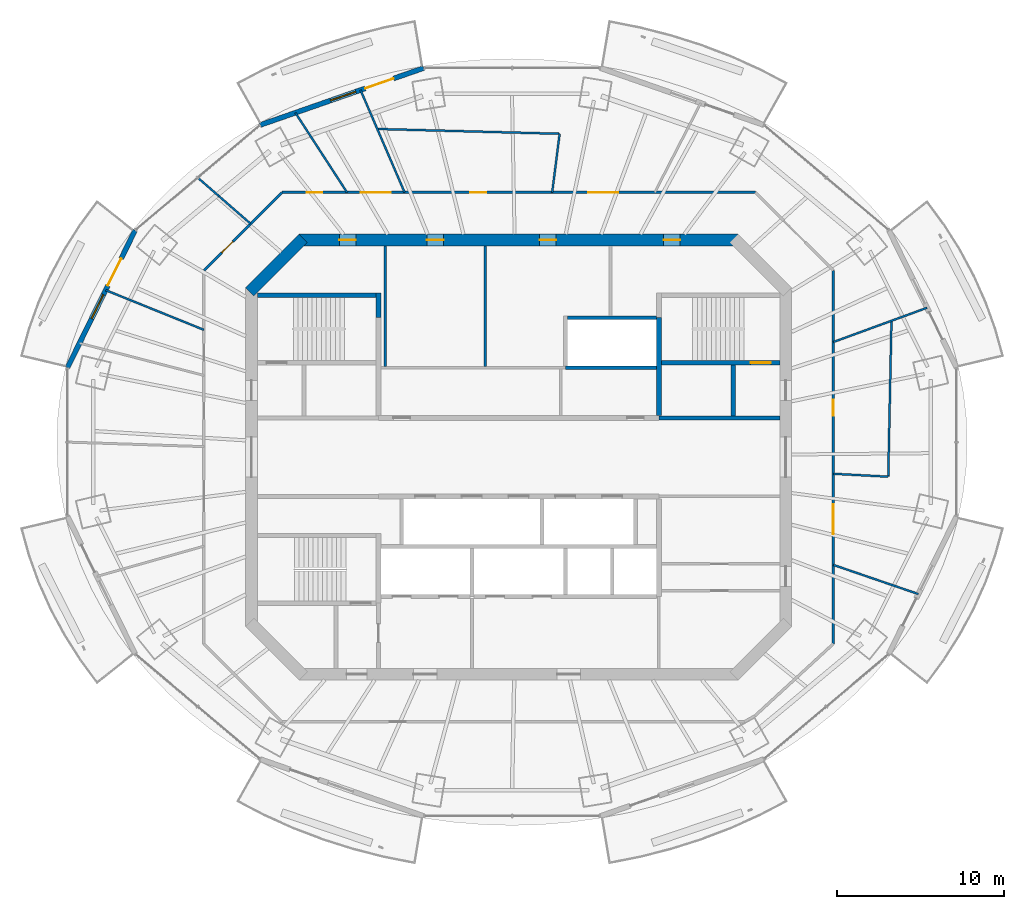
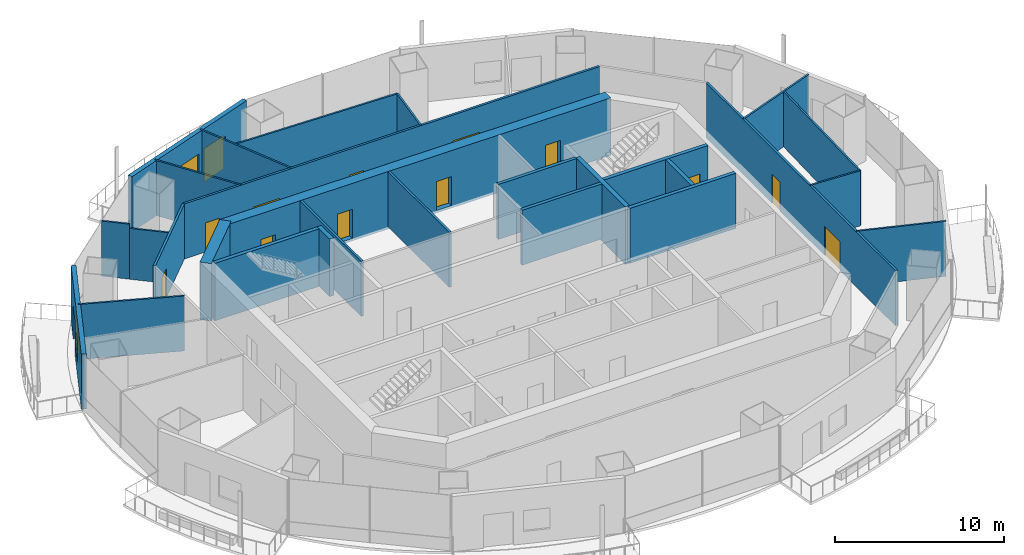
# One storey, part 10 of 16: 28 walls, 14 doors, 2 windows, 16 openings.
"""IFC4 building model written with IfcOpenShell, lengths in metres."""

from ifc_helpers import new_model, si_unit, direction, frame, frame_2d, origin, place, context, subcontext, project, spatial, rectangle, extrude, material, layer, layer_set, type_object, element, fill, save


model = new_model("IFC4")

# Units and contexts
model_context = context("Model", 3, precision=1e-05, world=origin(), true_north=direction((0.0, 1.0)))
body_context = subcontext(model_context, "Body", "Model", "MODEL_VIEW")
ifc_project = project(units=[si_unit("LENGTHUNIT", "METRE"), si_unit("AREAUNIT", "SQUARE_METRE"), si_unit("VOLUMEUNIT", "CUBIC_METRE"), si_unit("PLANEANGLEUNIT", "RADIAN"), si_unit("MASSUNIT", "GRAM", prefix="KILO")], contexts=[model_context])

# Site, building, storey
site_placement = place(None, origin())
site = spatial("IfcSite", under=ifc_project, at=site_placement, CompositionType="ELEMENT")
building_placement = place(site_placement, origin())
building = spatial("IfcBuilding", under=site, at=building_placement, Name="Marenthal Gate Tower", CompositionType="ELEMENT")
storey_placement = place(building_placement, frame((0.0, 0.0, 338.449951171875)))
storey = spatial("IfcBuildingStorey", under=building, at=storey_placement, Name="L76", CompositionType="ELEMENT", Elevation=338.449951171875)

# Wall, openings, doors
ifc_material_1 = material(Name="Concrete 60 MPa", Category="concrete")
ifc_layer_1 = layer(ifc_material_1, 0.699951171875)
ifc_layer_set_1 = layer_set([ifc_layer_1], Name="Core shear wall 700")
wall_type_1 = type_object("IfcWallType", Name="Core shear wall 700", PredefinedType="SHEAR", material=ifc_layer_set_1)
wall_1_placement = place(storey_placement, frame((13.14501953125, 13.0, -0.179931640625), z_axis=(0.0, 0.0, 1.0), x_axis=(-1.0, 0.0, 0.0)))
wall_1 = element("IfcWall", 1, at=wall_1_placement, inside=storey, type_object=wall_type_1, Name="Core wall 04", PredefinedType="SHEAR", context=body_context, shape_type="SweptSolid", body=[
    extrude(rectangle(XDim=26.2900390625, YDim=0.699951171875, at=frame_2d((13.14501953125, 0.0))), origin(), (0.0, 0.0, 1.0), 4.14990234375),
])
opening_1_placement = place(wall_1_placement, frame((22.889892578125, 0.0, 0.179931640625)))
opening_1 = element("IfcOpeningElement", 2, at=opening_1_placement, cuts=wall_1, Name="Opening D005.03", PredefinedType="OPENING", context=body_context, shape_type="SweptSolid", body=[
    extrude(rectangle(XDim=1.0, YDim=2.10009765625, at=frame_2d((0.5, 1.050048828125))), frame((0.0, 0.35986328125, 0.0), z_axis=(0.0, -1.0, 0.0), x_axis=(1.0, 0.0, 0.0)), (0.0, 0.0, 1.0), 0.719970703125),
])
opening_2_placement = place(wall_1_placement, frame((17.64501953125, 0.0, 0.179931640625)))
opening_2 = element("IfcOpeningElement", 3, at=opening_2_placement, cuts=wall_1, Name="Opening D005.04", PredefinedType="OPENING", context=body_context, shape_type="SweptSolid", body=[
    extrude(rectangle(XDim=1.0, YDim=2.10009765625, at=frame_2d((0.5, 1.050048828125))), frame((0.0, 0.35986328125, 0.0), z_axis=(0.0, -1.0, 0.0), x_axis=(1.0, 0.0, 0.0)), (0.0, 0.0, 1.0), 0.719970703125),
])
opening_3_placement = place(wall_1_placement, frame((10.89501953125, 0.0, 0.179931640625)))
opening_3 = element("IfcOpeningElement", 4, at=opening_3_placement, cuts=wall_1, Name="Opening D005.05", PredefinedType="OPENING", context=body_context, shape_type="SweptSolid", body=[
    extrude(rectangle(XDim=1.0, YDim=2.10009765625, at=frame_2d((0.5, 1.050048828125))), frame((0.0, 0.35986328125, 0.0), z_axis=(0.0, -1.0, 0.0), x_axis=(1.0, 0.0, 0.0)), (0.0, 0.0, 1.0), 0.719970703125),
])
opening_4_placement = place(wall_1_placement, frame((3.46728515625, 0.0, 0.179931640625)))
opening_4 = element("IfcOpeningElement", 5, at=opening_4_placement, cuts=wall_1, Name="Opening D005.06", PredefinedType="OPENING", context=body_context, shape_type="SweptSolid", body=[
    extrude(rectangle(XDim=1.0, YDim=2.10009765625, at=frame_2d((0.5, 1.050048828125))), frame((0.0, 0.35986328125, 0.0), z_axis=(0.0, -1.0, 0.0), x_axis=(1.0, 0.0, 0.0)), (0.0, 0.0, 1.0), 0.719970703125),
])
ifc_material_2 = material(Name="Steel fire door", Category="steel")
door_type_1 = type_object("IfcDoorType", Name="Fire door FD 45 1000 x 2100", OperationType="NOTDEFINED", PredefinedType="DOOR", material=ifc_material_2)
door_1_placement = place(opening_1_placement, origin())
door_1 = element("IfcDoor", 6, at=door_1_placement, inside=storey, type_object=door_type_1, Name="Door D005.03", OperationType="SINGLE_SWING_RIGHT", OverallHeight=2.10009765625, OverallWidth=1.0, PredefinedType="DOOR", context=body_context, shape_type="SweptSolid", body=[
    extrude(rectangle(XDim=1.0, YDim=2.10009765625, at=frame_2d((0.5, 1.050048828125))), frame((0.0, 0.02490234375, 0.0), z_axis=(0.0, -1.0, 0.0), x_axis=(1.0, 0.0, 0.0)), (0.0, 0.0, 1.0), 0.050048828125),
])
fill(opening_1, door_1)
door_2_placement = place(opening_2_placement, origin())
door_2 = element("IfcDoor", 7, at=door_2_placement, inside=storey, type_object=door_type_1, Name="Door D005.04", OperationType="SINGLE_SWING_RIGHT", OverallHeight=2.10009765625, OverallWidth=1.0, PredefinedType="DOOR", context=body_context, shape_type="SweptSolid", body=[
    extrude(rectangle(XDim=1.0, YDim=2.10009765625, at=frame_2d((0.5, 1.050048828125))), frame((0.0, 0.02490234375, 0.0), z_axis=(0.0, -1.0, 0.0), x_axis=(1.0, 0.0, 0.0)), (0.0, 0.0, 1.0), 0.050048828125),
])
fill(opening_2, door_2)
door_3_placement = place(opening_3_placement, origin())
door_3 = element("IfcDoor", 8, at=door_3_placement, inside=storey, type_object=door_type_1, Name="Door D005.05", OperationType="SINGLE_SWING_RIGHT", OverallHeight=2.10009765625, OverallWidth=1.0, PredefinedType="DOOR", context=body_context, shape_type="SweptSolid", body=[
    extrude(rectangle(XDim=1.0, YDim=2.10009765625, at=frame_2d((0.5, 1.050048828125))), frame((0.0, 0.02490234375, 0.0), z_axis=(0.0, -1.0, 0.0), x_axis=(1.0, 0.0, 0.0)), (0.0, 0.0, 1.0), 0.050048828125),
])
fill(opening_3, door_3)
door_4_placement = place(opening_4_placement, origin())
door_4 = element("IfcDoor", 9, at=door_4_placement, inside=storey, type_object=door_type_1, Name="Door D005.06", OperationType="SINGLE_SWING_RIGHT", OverallHeight=2.10009765625, OverallWidth=1.0, PredefinedType="DOOR", context=body_context, shape_type="SweptSolid", body=[
    extrude(rectangle(XDim=1.0, YDim=2.10009765625, at=frame_2d((0.5, 1.050048828125))), frame((0.0, 0.02490234375, 0.0), z_axis=(0.0, -1.0, 0.0), x_axis=(1.0, 0.0, 0.0)), (0.0, 0.0, 1.0), 0.050048828125),
])
fill(opening_4, door_4)

# Walls
wall_2_placement = place(storey_placement, frame((-12.8974609375, 13.1025390625, -0.179931640625), z_axis=(0.0, 0.0, 1.0), x_axis=(-0.707106781187, -0.707106781187, 0.0)))
element("IfcWall", 10, at=wall_2_placement, inside=storey, type_object=wall_type_1, Name="Core wall 05", PredefinedType="SHEAR", context=body_context, shape_type="SweptSolid", body=[
    extrude(rectangle(XDim=4.53271484375, YDim=0.699951171875, at=frame_2d((2.266357421875, 0.0))), origin(), (0.0, 0.0, 1.0), 4.14990234375),
])
ifc_material_3 = material(Name="Concrete 50 MPa", Category="concrete")
ifc_layer_2 = layer(ifc_material_3, 0.300048828125)
ifc_layer_set_2 = layer_set([ifc_layer_2], Name="Hoistway shear wall 300")
wall_type_2 = type_object("IfcWallType", Name="Hoistway shear wall 300", PredefinedType="SHEAR", material=ifc_layer_set_2)
wall_3_placement = place(storey_placement, frame((8.39990234375, 2.5, -0.179931640625), z_axis=(0.0, 0.0, 1.0), x_axis=(0.0, 1.0, 0.0)))
element("IfcWall", 11, at=wall_3_placement, inside=storey, type_object=wall_type_2, Name="Hoistway wall 49", PredefinedType="SHEAR", context=body_context, shape_type="SweptSolid", body=[
    extrude(rectangle(XDim=5.85009765625, YDim=0.300048828125, at=frame_2d((2.925048828125, 0.0))), origin(), (0.0, 0.0, 1.0), 4.14990234375),
])
ifc_material_4 = material(Name="Concrete 40 MPa", Category="concrete")
ifc_layer_3 = layer(ifc_material_4, 0.219970703125)
ifc_layer_set_3 = layer_set([ifc_layer_3], Name="Hoistway wall 220")
wall_type_3 = type_object("IfcWallType", Name="Hoistway wall 220", PredefinedType="STANDARD", material=ifc_layer_set_3)
wall_4_placement = place(storey_placement, frame((2.800048828125, 5.35009765625, 0.0), z_axis=(0.0, 0.0, 1.0), x_axis=(1.0, 0.0, 0.0)))
element("IfcWall", 12, at=wall_4_placement, inside=storey, type_object=wall_type_3, Name="Hoistway wall 23", PredefinedType="STANDARD", context=body_context, shape_type="SweptSolid", body=[
    extrude(rectangle(XDim=5.449951171875, YDim=0.219970703125, at=frame_2d((2.72509765625, 0.0))), origin(), (0.0, 0.0, 1.0), 3.969970703125),
])
wall_5_placement = place(storey_placement, frame((2.909912109375, 8.35009765625, 0.0), z_axis=(0.0, 0.0, 1.0), x_axis=(1.0, 0.0, 0.0)))
element("IfcWall", 13, at=wall_5_placement, inside=storey, type_object=wall_type_3, Name="Hoistway wall 26", PredefinedType="STANDARD", context=body_context, shape_type="SweptSolid", body=[
    extrude(rectangle(XDim=5.340087890625, YDim=0.219970703125, at=frame_2d((2.669921875, 0.0))), origin(), (0.0, 0.0, 1.0), 3.969970703125),
])
ifc_material_5 = material(Name="Gypsum board on steel studs", Category="steel")
ifc_layer_4 = layer(ifc_material_5, 0.1201171875)
ifc_layer_set_4 = layer_set([ifc_layer_4], Name="Partition 120")
wall_type_4 = type_object("IfcWallType", Name="Partition 120", PredefinedType="PARTITIONING", material=ifc_layer_set_4)
wall_6_placement = place(storey_placement, frame((-18.85009765625, 7.620361328125, 0.0), z_axis=(0.0, 0.0, 1.0), x_axis=(-0.927102963465, 0.374806743716, 0.0)))
element("IfcWall", 14, at=wall_6_placement, inside=storey, type_object=wall_type_4, Name="Partition wall 56", PredefinedType="PARTITIONING", context=body_context, shape_type="SweptSolid", body=[
    extrude(rectangle(XDim=6.353515625, YDim=0.1201171875, at=frame_2d((3.1767578125, 0.0))), origin(), (0.0, 0.0, 1.0), 3.969970703125),
])
wall_7_placement = place(storey_placement, frame((-16.053466796875, 13.97705078125, 0.0), z_axis=(0.0, 0.0, 1.0), x_axis=(-0.754199093047, 0.656645816287, 0.0)))
element("IfcWall", 15, at=wall_7_placement, inside=storey, type_object=wall_type_4, Name="Partition wall 58", PredefinedType="PARTITIONING", context=body_context, shape_type="SweptSolid", body=[
    extrude(rectangle(XDim=2.522705078125, YDim=0.1201171875, at=frame_2d((1.26123046875, 0.0))), origin(), (0.0, 0.0, 1.0), 3.66796875),
])
wall_8_placement = place(storey_placement, frame((-17.9560546875, 15.633544921875, 0.0), z_axis=(0.0, 0.0, 1.0), x_axis=(-0.754187929284, 0.656658638352, 0.0)))
element("IfcWall", 16, at=wall_8_placement, inside=storey, type_object=wall_type_4, Name="Partition wall 75", PredefinedType="PARTITIONING", context=body_context, shape_type="SweptSolid", body=[
    extrude(rectangle(XDim=1.687255859375, YDim=0.1201171875, at=frame_2d((0.84375, 0.0))), origin(), (0.0, 0.0, 1.0), 3.969970703125),
])
wall_9_placement = place(storey_placement, frame((-10.27783203125, 15.85009765625, 0.0), z_axis=(0.0, 0.0, 1.0), x_axis=(-0.544086684893, 0.839029009822, 0.0)))
element("IfcWall", 17, at=wall_9_placement, inside=storey, type_object=wall_type_4, Name="Partition wall 61", PredefinedType="PARTITIONING", context=body_context, shape_type="SweptSolid", body=[
    extrude(rectangle(XDim=5.693359375, YDim=0.1201171875, at=frame_2d((2.8466796875, 0.0))), origin(), (0.0, 0.0, 1.0), 3.969970703125),
])
wall_10_placement = place(storey_placement, frame((-6.82958984375, 15.85009765625, 0.0), z_axis=(0.0, 0.0, 1.0), x_axis=(-0.39569122033, 0.918383611654, 0.0)))
element("IfcWall", 18, at=wall_10_placement, inside=storey, type_object=wall_type_4, Name="Partition wall 62", PredefinedType="PARTITIONING", context=body_context, shape_type="SweptSolid", body=[
    extrude(rectangle(XDim=6.68212890625, YDim=0.1201171875, at=frame_2d((3.341064453125, 0.0))), origin(), (0.0, 0.0, 1.0), 3.969970703125),
])
wall_11_placement = place(storey_placement, frame((2.45263671875, 19.367431640625, 0.0), z_axis=(0.0, 0.0, 1.0), x_axis=(-0.999654058519, 0.026301393246, 0.0)))
element("IfcWall", 19, at=wall_11_placement, inside=storey, type_object=wall_type_4, Name="Partition wall 63", PredefinedType="PARTITIONING", context=body_context, shape_type="SweptSolid", body=[
    extrude(rectangle(XDim=10.92529296875, YDim=0.1201171875, at=frame_2d((5.462646484375, 0.0))), origin(), (0.0, 0.0, 1.0), 3.969970703125),
])
wall_12_placement = place(storey_placement, frame((2.45263671875, 19.367431640625, 0.0), z_axis=(0.0, 0.0, 1.0), x_axis=(-0.125670265883, -0.992072066068, 0.0)))
element("IfcWall", 20, at=wall_12_placement, inside=storey, type_object=wall_type_4, Name="Partition wall 64", PredefinedType="PARTITIONING", context=body_context, shape_type="SweptSolid", body=[
    extrude(rectangle(XDim=3.54541015625, YDim=0.1201171875, at=frame_2d((1.772705078125, 0.0))), origin(), (0.0, 0.0, 1.0), 3.969970703125),
])
wall_13_placement = place(storey_placement, frame((18.85009765625, -6.457763671875, 0.0), z_axis=(0.0, 0.0, 1.0), x_axis=(0.946023473626, -0.32409811377, 0.0)))
element("IfcWall", 21, at=wall_13_placement, inside=storey, type_object=wall_type_4, Name="Partition wall 70", PredefinedType="PARTITIONING", context=body_context, shape_type="SweptSolid", body=[
    extrude(rectangle(XDim=5.380859375, YDim=0.1201171875, at=frame_2d((2.6904296875, 0.0))), origin(), (0.0, 0.0, 1.0), 3.969970703125),
])
wall_14_placement = place(storey_placement, frame((18.85009765625, 6.893310546875, 0.0), z_axis=(0.0, 0.0, 1.0), x_axis=(0.939166586635, 0.34346196667, 0.0)))
element("IfcWall", 22, at=wall_14_placement, inside=storey, type_object=wall_type_4, Name="Partition wall 71", PredefinedType="PARTITIONING", context=body_context, shape_type="SweptSolid", body=[
    extrude(rectangle(XDim=5.973876953125, YDim=0.1201171875, at=frame_2d((2.98681640625, 0.0))), origin(), (0.0, 0.0, 1.0), 3.969970703125),
])
wall_15_placement = place(storey_placement, frame((22.13671875, -1.1728515625, 0.0), z_axis=(0.0, 0.0, 1.0), x_axis=(0.020545219347, 0.999788924705, 0.0)))
element("IfcWall", 23, at=wall_15_placement, inside=storey, type_object=wall_type_4, Name="Partition wall 73", PredefinedType="PARTITIONING", context=body_context, shape_type="SweptSolid", body=[
    extrude(rectangle(XDim=9.340087890625, YDim=0.1201171875, at=frame_2d((4.669921875, 0.0))), origin(), (0.0, 0.0, 1.0), 3.969970703125),
])
wall_16_placement = place(storey_placement, frame((22.13671875, -1.1728515625, 0.0), z_axis=(0.0, 0.0, 1.0), x_axis=(-0.99860035673, 0.052889767817, 0.0)))
element("IfcWall", 24, at=wall_16_placement, inside=storey, type_object=wall_type_4, Name="Partition wall 74", PredefinedType="PARTITIONING", context=body_context, shape_type="SweptSolid", body=[
    extrude(rectangle(XDim=3.291259765625, YDim=0.1201171875, at=frame_2d((1.6455078125, 0.0))), origin(), (0.0, 0.0, 1.0), 3.969970703125),
])
ifc_material_6 = material(Name="Gypsum board on steel studs", Category="steel")
ifc_layer_5 = layer(ifc_material_6, 0.14990234375)
ifc_layer_set_5 = layer_set([ifc_layer_5], Name="Partition 150")
wall_type_5 = type_object("IfcWallType", Name="Partition 150", PredefinedType="PARTITIONING", material=ifc_layer_set_5)
for number, where, z_axis, x_axis, name in (
    (25, (-8.0, 5.425048828125, 0.0), (0.0, 0.0, 1.0), (0.0, 1.0, 0.0), "Partition wall 35"),
    (26, (-2.0, 5.425048828125, 0.0), (0.0, 0.0, 1.0), (0.0, 1.0, 0.0), "Partition wall 39"),
):
    element("IfcWall", number, at=place(storey_placement, frame(where, z_axis=z_axis, x_axis=x_axis)), inside=storey, type_object=wall_type_5, Name=name, PredefinedType="PARTITIONING", context=body_context, shape_type="SweptSolid", body=[
        extrude(rectangle(XDim=7.224853515625, YDim=0.14990234375, at=frame_2d((3.6123046875, 0.0))), origin(), (0.0, 0.0, 1.0), 3.969970703125),
    ])

# Wall, opening, door
wall_17_placement = place(storey_placement, frame((-18.85009765625, 11.180419921875, 0.0), z_axis=(0.0, 0.0, 1.0), x_axis=(0.707106781187, 0.707106781187, 0.0)))
wall_17 = element("IfcWall", 27, at=wall_17_placement, inside=storey, type_object=wall_type_5, Name="Partition wall 57", PredefinedType="PARTITIONING", context=body_context, shape_type="SweptSolid", body=[
    extrude(rectangle(XDim=6.60400390625, YDim=0.14990234375, at=frame_2d((3.302001953125, 0.0))), origin(), (0.0, 0.0, 1.0), 3.969970703125),
])
opening_5_placement = place(wall_17_placement, frame((1.5029296875, 0.0, 0.0)))
opening_5 = element("IfcOpeningElement", 28, at=opening_5_placement, cuts=wall_17, Name="Opening D016.03", PredefinedType="OPENING", context=body_context, shape_type="SweptSolid", body=[
    extrude(rectangle(XDim=0.949951171875, YDim=2.10009765625, at=frame_2d((0.47509765625, 1.050048828125))), frame((0.0, 0.0849609375, 0.0), z_axis=(0.0, -1.0, 0.0), x_axis=(1.0, 0.0, 0.0)), (0.0, 0.0, 1.0), 0.169921875),
])
ifc_material_7 = material(Name="Timber door", Category="wood")
door_type_2 = type_object("IfcDoorType", Name="Door 950 x 2100", OperationType="NOTDEFINED", PredefinedType="DOOR", material=ifc_material_7)
door_5_placement = place(opening_5_placement, origin())
door_5 = element("IfcDoor", 29, at=door_5_placement, inside=storey, type_object=door_type_2, Name="Door D016.03", OperationType="SINGLE_SWING_RIGHT", OverallHeight=2.10009765625, OverallWidth=0.949951171875, PredefinedType="DOOR", context=body_context, shape_type="SweptSolid", body=[
    extrude(rectangle(XDim=0.949951171875, YDim=2.10009765625, at=frame_2d((0.47509765625, 1.050048828125))), frame((0.0, 0.02490234375, 0.0), z_axis=(0.0, -1.0, 0.0), x_axis=(1.0, 0.0, 0.0)), (0.0, 0.0, 1.0), 0.050048828125),
])
fill(opening_5, door_5)

# Wall, openings, doors
wall_18_placement = place(storey_placement, frame((-14.180419921875, 15.85009765625, 0.0), z_axis=(0.0, 0.0, 1.0), x_axis=(1.0, 0.0, 0.0)))
wall_18 = element("IfcWall", 30, at=wall_18_placement, inside=storey, type_object=wall_type_5, Name="Partition wall 60", PredefinedType="PARTITIONING", context=body_context, shape_type="SweptSolid", body=[
    extrude(rectangle(XDim=28.36083984375, YDim=0.14990234375, at=frame_2d((14.180419921875, 0.0))), origin(), (0.0, 0.0, 1.0), 3.969970703125),
])
opening_6_placement = place(wall_18_placement, frame((11.2939453125, 0.0, 0.0)))
opening_6 = element("IfcOpeningElement", 31, at=opening_6_placement, cuts=wall_18, Name="Opening D016.01", PredefinedType="OPENING", context=body_context, shape_type="SweptSolid", body=[
    extrude(rectangle(XDim=0.949951171875, YDim=2.10009765625, at=frame_2d((0.47509765625, 1.050048828125))), frame((0.0, 0.0849609375, 0.0), z_axis=(0.0, -1.0, 0.0), x_axis=(1.0, 0.0, 0.0)), (0.0, 0.0, 1.0), 0.169921875),
])
opening_7_placement = place(wall_18_placement, frame((18.35888671875, 0.0, 0.0)))
opening_7 = element("IfcOpeningElement", 32, at=opening_7_placement, cuts=wall_18, Name="Opening D014.02", PredefinedType="OPENING", context=body_context, shape_type="SweptSolid", body=[
    extrude(rectangle(XDim=1.800048828125, YDim=2.10009765625, at=frame_2d((0.89990234375, 1.050048828125))), frame((0.0, 0.0849609375, 0.0), z_axis=(0.0, -1.0, 0.0), x_axis=(1.0, 0.0, 0.0)), (0.0, 0.0, 1.0), 0.169921875),
])
opening_8_placement = place(wall_18_placement, frame((4.72705078125, 0.0, 0.0)))
opening_8 = element("IfcOpeningElement", 33, at=opening_8_placement, cuts=wall_18, Name="Opening D014.03", PredefinedType="OPENING", context=body_context, shape_type="SweptSolid", body=[
    extrude(rectangle(XDim=1.800048828125, YDim=2.10009765625, at=frame_2d((0.89990234375, 1.050048828125))), frame((0.0, 0.0849609375, 0.0), z_axis=(0.0, -1.0, 0.0), x_axis=(1.0, 0.0, 0.0)), (0.0, 0.0, 1.0), 0.169921875),
])
opening_9_placement = place(wall_18_placement, frame((1.47607421875, 0.0, 0.0)))
opening_9 = element("IfcOpeningElement", 34, at=opening_9_placement, cuts=wall_18, Name="Opening D016.02", PredefinedType="OPENING", context=body_context, shape_type="SweptSolid", body=[
    extrude(rectangle(XDim=0.949951171875, YDim=2.10009765625, at=frame_2d((0.47509765625, 1.050048828125))), frame((0.0, 0.0849609375, 0.0), z_axis=(0.0, -1.0, 0.0), x_axis=(1.0, 0.0, 0.0)), (0.0, 0.0, 1.0), 0.169921875),
])
door_6_placement = place(opening_6_placement, origin())
door_6 = element("IfcDoor", 35, at=door_6_placement, inside=storey, type_object=door_type_2, Name="Door D016.01", OperationType="SINGLE_SWING_RIGHT", OverallHeight=2.10009765625, OverallWidth=0.949951171875, PredefinedType="DOOR", context=body_context, shape_type="SweptSolid", body=[
    extrude(rectangle(XDim=0.949951171875, YDim=2.10009765625, at=frame_2d((0.47509765625, 1.050048828125))), frame((0.0, 0.02490234375, 0.0), z_axis=(0.0, -1.0, 0.0), x_axis=(1.0, 0.0, 0.0)), (0.0, 0.0, 1.0), 0.050048828125),
])
fill(opening_6, door_6)
door_7_placement = place(opening_9_placement, origin())
door_7 = element("IfcDoor", 36, at=door_7_placement, inside=storey, type_object=door_type_2, Name="Door D016.02", OperationType="SINGLE_SWING_RIGHT", OverallHeight=2.10009765625, OverallWidth=0.949951171875, PredefinedType="DOOR", context=body_context, shape_type="SweptSolid", body=[
    extrude(rectangle(XDim=0.949951171875, YDim=2.10009765625, at=frame_2d((0.47509765625, 1.050048828125))), frame((0.0, 0.02490234375, 0.0), z_axis=(0.0, -1.0, 0.0), x_axis=(1.0, 0.0, 0.0)), (0.0, 0.0, 1.0), 0.050048828125),
])
fill(opening_9, door_7)
ifc_material_8 = material(Name="Timber door", Category="wood")
door_type_3 = type_object("IfcDoorType", Name="Double door 1800 x 2100", OperationType="DOUBLE_DOOR_SINGLE_SWING", PredefinedType="DOOR", material=ifc_material_8)
door_8_placement = place(opening_7_placement, origin())
door_8 = element("IfcDoor", 37, at=door_8_placement, inside=storey, type_object=door_type_3, Name="Door D014.02", OperationType="DOUBLE_DOOR_SINGLE_SWING", OverallHeight=2.10009765625, OverallWidth=1.800048828125, PredefinedType="DOOR", context=body_context, shape_type="SweptSolid", body=[
    extrude(rectangle(XDim=1.800048828125, YDim=2.10009765625, at=frame_2d((0.89990234375, 1.050048828125))), frame((0.0, 0.02490234375, 0.0), z_axis=(0.0, -1.0, 0.0), x_axis=(1.0, 0.0, 0.0)), (0.0, 0.0, 1.0), 0.050048828125),
])
fill(opening_7, door_8)
door_9_placement = place(opening_8_placement, origin())
door_9 = element("IfcDoor", 38, at=door_9_placement, inside=storey, type_object=door_type_3, Name="Door D014.03", OperationType="DOUBLE_DOOR_SINGLE_SWING", OverallHeight=2.10009765625, OverallWidth=1.800048828125, PredefinedType="DOOR", context=body_context, shape_type="SweptSolid", body=[
    extrude(rectangle(XDim=1.800048828125, YDim=2.10009765625, at=frame_2d((0.89990234375, 1.050048828125))), frame((0.0, 0.02490234375, 0.0), z_axis=(0.0, -1.0, 0.0), x_axis=(1.0, 0.0, 0.0)), (0.0, 0.0, 1.0), 0.050048828125),
])
fill(opening_8, door_9)

wall_19_placement = place(storey_placement, frame((18.85009765625, 11.180419921875, 0.0), z_axis=(0.0, 0.0, 1.0), x_axis=(0.0, -1.0, 0.0)))
wall_19 = element("IfcWall", 39, at=wall_19_placement, inside=storey, type_object=wall_type_5, Name="Partition wall 72", PredefinedType="PARTITIONING", context=body_context, shape_type="SweptSolid", body=[
    extrude(rectangle(XDim=22.36083984375, YDim=0.14990234375, at=frame_2d((11.180419921875, 0.0))), origin(), (0.0, 0.0, 1.0), 3.969970703125),
])
opening_10_placement = place(wall_19_placement, frame((7.759033203125, 0.0, 0.0)))
opening_10 = element("IfcOpeningElement", 40, at=opening_10_placement, cuts=wall_19, Name="Opening D016.07", PredefinedType="OPENING", context=body_context, shape_type="SweptSolid", body=[
    extrude(rectangle(XDim=0.949951171875, YDim=2.10009765625, at=frame_2d((0.47509765625, 1.050048828125))), frame((0.0, 0.0849609375, 0.0), z_axis=(0.0, -1.0, 0.0), x_axis=(1.0, 0.0, 0.0)), (0.0, 0.0, 1.0), 0.169921875),
])
opening_11_placement = place(wall_19_placement, frame((14.009033203125, 0.0, 0.0)))
opening_11 = element("IfcOpeningElement", 41, at=opening_11_placement, cuts=wall_19, Name="Opening D014.05", PredefinedType="OPENING", context=body_context, shape_type="SweptSolid", body=[
    extrude(rectangle(XDim=1.800048828125, YDim=2.10009765625, at=frame_2d((0.89990234375, 1.050048828125))), frame((0.0, 0.0849609375, 0.0), z_axis=(0.0, -1.0, 0.0), x_axis=(1.0, 0.0, 0.0)), (0.0, 0.0, 1.0), 0.169921875),
])
door_10_placement = place(opening_10_placement, origin())
door_10 = element("IfcDoor", 42, at=door_10_placement, inside=storey, type_object=door_type_2, Name="Door D016.07", OperationType="SINGLE_SWING_RIGHT", OverallHeight=2.10009765625, OverallWidth=0.949951171875, PredefinedType="DOOR", context=body_context, shape_type="SweptSolid", body=[
    extrude(rectangle(XDim=0.949951171875, YDim=2.10009765625, at=frame_2d((0.47509765625, 1.050048828125))), frame((0.0, 0.02490234375, 0.0), z_axis=(0.0, -1.0, 0.0), x_axis=(1.0, 0.0, 0.0)), (0.0, 0.0, 1.0), 0.050048828125),
])
fill(opening_10, door_10)
door_11_placement = place(opening_11_placement, origin())
door_11 = element("IfcDoor", 43, at=door_11_placement, inside=storey, type_object=door_type_3, Name="Door D014.05", OperationType="DOUBLE_DOOR_SINGLE_SWING", OverallHeight=2.10009765625, OverallWidth=1.800048828125, PredefinedType="DOOR", context=body_context, shape_type="SweptSolid", body=[
    extrude(rectangle(XDim=1.800048828125, YDim=2.10009765625, at=frame_2d((0.89990234375, 1.050048828125))), frame((0.0, 0.02490234375, 0.0), z_axis=(0.0, -1.0, 0.0), x_axis=(1.0, 0.0, 0.0)), (0.0, 0.0, 1.0), 0.050048828125),
])
fill(opening_11, door_11)

# Walls
ifc_material_9 = material(Name="Concrete 40 MPa", Category="concrete")
ifc_layer_6 = layer(ifc_material_9, 0.25)
ifc_layer_set_6 = layer_set([ifc_layer_6], Name="Stair enclosure wall 250")
wall_type_6 = type_object("IfcWallType", Name="Stair enclosure wall 250", PredefinedType="STANDARD", material=ifc_layer_set_6)
wall_20_placement = place(storey_placement, frame((8.39990234375, 2.35009765625, 0.0), z_axis=(0.0, 0.0, 1.0), x_axis=(1.0, 0.0, 0.0)))
element("IfcWall", 44, at=wall_20_placement, inside=storey, type_object=wall_type_6, Name="Stair wall 21", PredefinedType="STANDARD", context=body_context, shape_type="SweptSolid", body=[
    extrude(rectangle(XDim=7.25, YDim=0.25, at=frame_2d((3.625, 0.0))), origin(), (0.0, 0.0, 1.0), 3.969970703125),
])
wall_21_placement = place(storey_placement, frame((12.85009765625, 2.47509765625, 0.0), z_axis=(0.0, 0.0, 1.0), x_axis=(0.0, 1.0, 0.0)))
element("IfcWall", 45, at=wall_21_placement, inside=storey, type_object=wall_type_6, Name="Stair wall 51", PredefinedType="STANDARD", context=body_context, shape_type="SweptSolid", body=[
    extrude(rectangle(XDim=3.0498046875, YDim=0.25, at=frame_2d((1.52490234375, 0.0))), origin(), (0.0, 0.0, 1.0), 3.969970703125),
])

# Wall, opening, door
ifc_material_10 = material(Name="Concrete 50 MPa", Category="concrete")
ifc_layer_7 = layer(ifc_material_10, 0.25)
ifc_layer_set_7 = layer_set([ifc_layer_7], Name="Stair shear wall 250")
wall_type_7 = type_object("IfcWallType", Name="Stair shear wall 250", PredefinedType="SHEAR", material=ifc_layer_set_7)
wall_22_placement = place(storey_placement, frame((8.550048828125, 5.64990234375, -0.179931640625), z_axis=(0.0, 0.0, 1.0), x_axis=(1.0, 0.0, 0.0)))
wall_22 = element("IfcWall", 46, at=wall_22_placement, inside=storey, type_object=wall_type_7, Name="Stair wall 25", PredefinedType="SHEAR", context=body_context, shape_type="SweptSolid", body=[
    extrude(rectangle(XDim=7.099853515625, YDim=0.25, at=frame_2d((3.5498046875, 0.0))), origin(), (0.0, 0.0, 1.0), 4.14990234375),
])
opening_12_placement = place(wall_22_placement, frame((5.35009765625, 0.0, 0.179931640625)))
opening_12 = element("IfcOpeningElement", 47, at=opening_12_placement, cuts=wall_22, Name="Opening D001.02", PredefinedType="OPENING", context=body_context, shape_type="SweptSolid", body=[
    extrude(rectangle(XDim=1.199951171875, YDim=2.10009765625, at=frame_2d((0.60009765625, 1.050048828125))), frame((0.0, 0.135009765625, 0.0), z_axis=(0.0, -1.0, 0.0), x_axis=(1.0, 0.0, 0.0)), (0.0, 0.0, 1.0), 0.27001953125),
])
ifc_material_11 = material(Name="Steel fire door", Category="steel")
door_type_4 = type_object("IfcDoorType", Name="Fire door FD 90 1200 x 2100", OperationType="NOTDEFINED", PredefinedType="DOOR", material=ifc_material_11)
door_12_placement = place(opening_12_placement, origin())
door_12 = element("IfcDoor", 48, at=door_12_placement, inside=storey, type_object=door_type_4, Name="Door D001.02", OperationType="SINGLE_SWING_RIGHT", OverallHeight=2.10009765625, OverallWidth=1.199951171875, PredefinedType="DOOR", context=body_context, shape_type="SweptSolid", body=[
    extrude(rectangle(XDim=1.199951171875, YDim=2.10009765625, at=frame_2d((0.60009765625, 1.050048828125))), frame((0.0, 0.02490234375, 0.0), z_axis=(0.0, -1.0, 0.0), x_axis=(1.0, 0.0, 0.0)), (0.0, 0.0, 1.0), 0.050048828125),
])
fill(opening_12, door_12)

# Walls
wall_23_placement = place(storey_placement, frame((-15.64990234375, 9.699951171875, -0.179931640625), z_axis=(0.0, 0.0, 1.0), x_axis=(1.0, 0.0, 0.0)))
element("IfcWall", 49, at=wall_23_placement, inside=storey, type_object=wall_type_7, Name="Stair wall 27", PredefinedType="SHEAR", context=body_context, shape_type="SweptSolid", body=[
    extrude(rectangle(XDim=7.099853515625, YDim=0.25, at=frame_2d((3.5498046875, 0.0))), origin(), (0.0, 0.0, 1.0), 4.14990234375),
])
ifc_material_12 = material(Name="Concrete 50 MPa", Category="concrete")
ifc_layer_8 = layer(ifc_material_12, 0.300048828125)
ifc_layer_set_8 = layer_set([ifc_layer_8], Name="Stair shear wall 300")
wall_type_8 = type_object("IfcWallType", Name="Stair shear wall 300", PredefinedType="SHEAR", material=ifc_layer_set_8)
wall_24_placement = place(storey_placement, frame((-8.39990234375, 8.35009765625, -0.179931640625), z_axis=(0.0, 0.0, 1.0), x_axis=(0.0, 1.0, 0.0)))
element("IfcWall", 50, at=wall_24_placement, inside=storey, type_object=wall_type_8, Name="Stair wall 34", PredefinedType="SHEAR", context=body_context, shape_type="SweptSolid", body=[
    extrude(rectangle(XDim=1.474853515625, YDim=0.300048828125, at=frame_2d((0.7373046875, 0.0))), origin(), (0.0, 0.0, 1.0), 4.14990234375),
])

# Wall, openings, door, window
ifc_material_13 = material(Name="Terracotta cladding on insulated concrete-block backing", Category="masonry")
ifc_layer_9 = layer(ifc_material_13, 0.300048828125)
ifc_layer_set_9 = layer_set([ifc_layer_9], Name="Terracotta facade wall 300")
wall_type_9 = type_object("IfcWallType", Name="Terracotta facade wall 300", PredefinedType="SOLIDWALL", material=ifc_layer_set_9)
wall_25_placement = place(storey_placement, frame((-5.696533203125, 23.302978515625, 0.0), z_axis=(0.0, 0.0, 1.0), x_axis=(-0.944298954957, -0.32908886895, 0.0)))
wall_25 = element("IfcWall", 51, at=wall_25_placement, inside=storey, type_object=wall_type_9, Name="Terracotta facade wall L76 bay 5", PredefinedType="SOLIDWALL", context=body_context, shape_type="SweptSolid", body=[
    extrude(rectangle(XDim=10.364013671875, YDim=0.300048828125, at=frame_2d((5.18212890625, 0.0))), origin(), (0.0, 0.0, 1.0), 3.969970703125),
])
opening_13_placement = place(wall_25_placement, frame((1.89990234375, 0.0, 0.0)))
opening_13 = element("IfcOpeningElement", 52, at=opening_13_placement, cuts=wall_25, Name="Opening BD-L76-05", PredefinedType="OPENING", context=body_context, shape_type="SweptSolid", body=[
    extrude(rectangle(XDim=1.800048828125, YDim=2.39990234375, at=frame_2d((0.89990234375, 1.199951171875))), frame((0.0, 0.16015625, 0.0), z_axis=(0.0, -1.0, 0.0), x_axis=(1.0, 0.0, 0.0)), (0.0, 0.0, 1.0), 0.320068359375),
])
opening_14_placement = place(wall_25_placement, frame((4.300048828125, 0.0, 0.89990234375)))
opening_14 = element("IfcOpeningElement", 53, at=opening_14_placement, cuts=wall_25, Name="Opening WN3-L76-05", PredefinedType="OPENING", context=body_context, shape_type="SweptSolid", body=[
    extrude(rectangle(XDim=1.60009765625, YDim=1.5, at=frame_2d((0.800048828125, 0.75))), frame((0.0, 0.16015625, 0.0), z_axis=(0.0, -1.0, 0.0), x_axis=(1.0, 0.0, 0.0)), (0.0, 0.0, 1.0), 0.320068359375),
])
ifc_material_14 = material(Name="Aluminium and glass", Category="aluminium")
door_type_5 = type_object("IfcDoorType", Name="Balcony door 1800x2400", OperationType="DOUBLE_DOOR_SINGLE_SWING", PredefinedType="DOOR", material=ifc_material_14)
door_13_placement = place(opening_13_placement, origin())
door_13 = element("IfcDoor", 54, at=door_13_placement, inside=storey, type_object=door_type_5, Name="Balcony door L76 bay 5", OperationType="SINGLE_SWING_LEFT", OverallHeight=2.39990234375, OverallWidth=1.800048828125, PredefinedType="DOOR", context=body_context, shape_type="SweptSolid", body=[
    extrude(rectangle(XDim=1.800048828125, YDim=2.39990234375, at=frame_2d((0.89990234375, 1.199951171875))), frame((0.0, 0.02490234375, 0.0), z_axis=(0.0, -1.0, 0.0), x_axis=(1.0, 0.0, 0.0)), (0.0, 0.0, 1.0), 0.050048828125),
])
fill(opening_13, door_13)
ifc_material_15 = material(Name="Aluminium and glass", Category="aluminium")
window_type = type_object("IfcWindowType", Name="Window 1600x1500", PartitioningType="DOUBLE_PANEL_VERTICAL", PredefinedType="WINDOW", material=ifc_material_15)
window_1_placement = place(opening_14_placement, origin())
window_1 = element("IfcWindow", 55, at=window_1_placement, inside=storey, type_object=window_type, Name="Window L76 bay 5", OverallHeight=1.5, OverallWidth=1.60009765625, PartitioningType="SINGLE_PANEL", PredefinedType="WINDOW", context=body_context, shape_type="SweptSolid", body=[
    extrude(rectangle(XDim=1.60009765625, YDim=1.5, at=frame_2d((0.800048828125, 0.75))), frame((0.0, 0.030029296875, 0.0), z_axis=(0.0, -1.0, 0.0), x_axis=(1.0, 0.0, 0.0)), (0.0, 0.0, 1.0), 0.06005859375),
])
fill(opening_14, window_1)

wall_26_placement = place(storey_placement, frame((-22.9736328125, 13.59033203125, 0.0), z_axis=(0.0, 0.0, 1.0), x_axis=(-0.441682707494, -0.89717132472, 0.0)))
wall_26 = element("IfcWall", 56, at=wall_26_placement, inside=storey, type_object=wall_type_9, Name="Terracotta facade wall L76 bay 7", PredefinedType="SOLIDWALL", context=body_context, shape_type="SweptSolid", body=[
    extrude(rectangle(XDim=9.177978515625, YDim=0.300048828125, at=frame_2d((4.5888671875, 0.0))), origin(), (0.0, 0.0, 1.0), 3.969970703125),
])
opening_15_placement = place(wall_26_placement, frame((1.89990234375, 0.0, 0.0)))
opening_15 = element("IfcOpeningElement", 57, at=opening_15_placement, cuts=wall_26, Name="Opening BD-L76-07", PredefinedType="OPENING", context=body_context, shape_type="SweptSolid", body=[
    extrude(rectangle(XDim=1.800048828125, YDim=2.39990234375, at=frame_2d((0.89990234375, 1.199951171875))), frame((0.0, 0.16015625, 0.0), z_axis=(0.0, -1.0, 0.0), x_axis=(1.0, 0.0, 0.0)), (0.0, 0.0, 1.0), 0.320068359375),
])
opening_16_placement = place(wall_26_placement, frame((4.300048828125, 0.0, 0.89990234375)))
opening_16 = element("IfcOpeningElement", 58, at=opening_16_placement, cuts=wall_26, Name="Opening WN3-L76-07", PredefinedType="OPENING", context=body_context, shape_type="SweptSolid", body=[
    extrude(rectangle(XDim=1.60009765625, YDim=1.5, at=frame_2d((0.800048828125, 0.75))), frame((0.0, 0.16015625, 0.0), z_axis=(0.0, -1.0, 0.0), x_axis=(1.0, 0.0, 0.0)), (0.0, 0.0, 1.0), 0.320068359375),
])
door_14_placement = place(opening_15_placement, origin())
door_14 = element("IfcDoor", 59, at=door_14_placement, inside=storey, type_object=door_type_5, Name="Balcony door L76 bay 7", OperationType="SINGLE_SWING_LEFT", OverallHeight=2.39990234375, OverallWidth=1.800048828125, PredefinedType="DOOR", context=body_context, shape_type="SweptSolid", body=[
    extrude(rectangle(XDim=1.800048828125, YDim=2.39990234375, at=frame_2d((0.89990234375, 1.199951171875))), frame((0.0, 0.02490234375, 0.0), z_axis=(0.0, -1.0, 0.0), x_axis=(1.0, 0.0, 0.0)), (0.0, 0.0, 1.0), 0.050048828125),
])
fill(opening_15, door_14)
window_2_placement = place(opening_16_placement, origin())
window_2 = element("IfcWindow", 60, at=window_2_placement, inside=storey, type_object=window_type, Name="Window L76 bay 7", OverallHeight=1.5, OverallWidth=1.60009765625, PartitioningType="SINGLE_PANEL", PredefinedType="WINDOW", context=body_context, shape_type="SweptSolid", body=[
    extrude(rectangle(XDim=1.60009765625, YDim=1.5, at=frame_2d((0.800048828125, 0.75))), frame((0.0, 0.030029296875, 0.0), z_axis=(0.0, -1.0, 0.0), x_axis=(1.0, 0.0, 0.0)), (0.0, 0.0, 1.0), 0.06005859375),
])
fill(opening_16, window_2)

save(model, "model.ifc")
